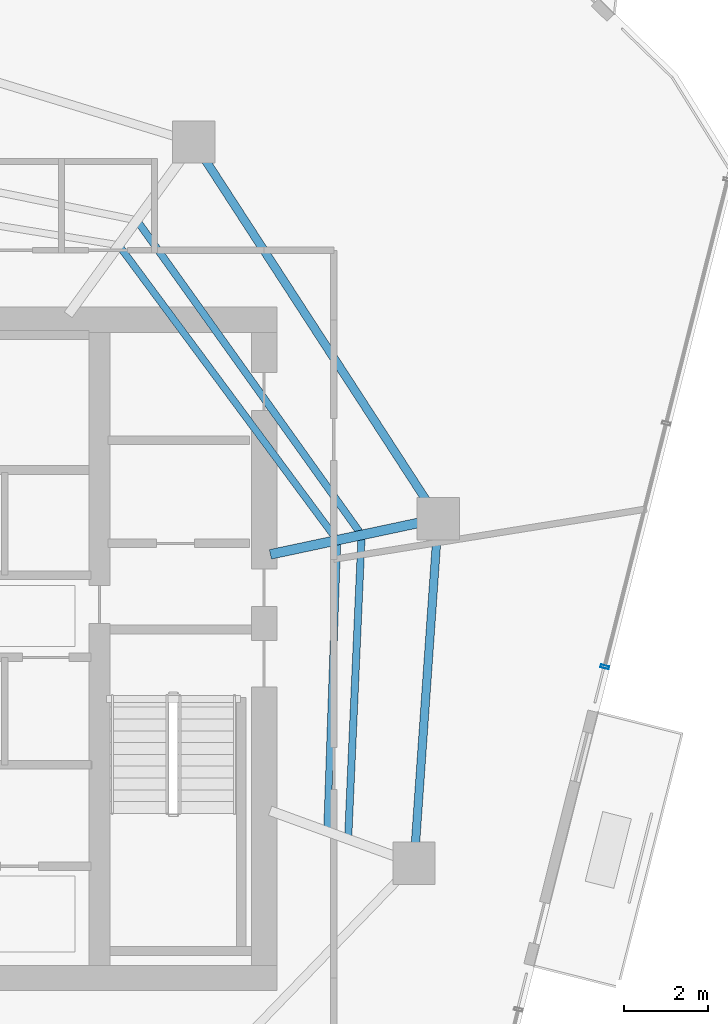
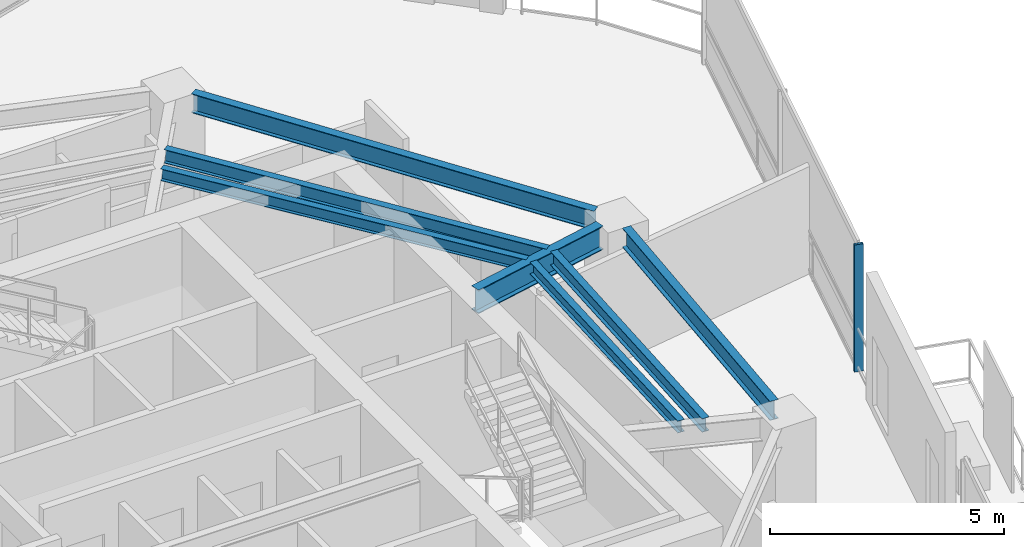
# One storey, part 7 of 19: 7 beams, 1 member, 1 element without a shape of its own.
"""IFC4 building model written with IfcOpenShell, lengths in metres."""

from ifc_helpers import new_model, si_unit, direction, frame, origin, origin_2d, place, context, subcontext, project, spatial, hollow_rectangle, i_section, extrude, material, layer, layer_set, material_profile, profile_set, type_object, element, aggregate, save


model = new_model("IFC4")

# Units and contexts
model_context = context("Model", 3, precision=1e-05, world=origin(), true_north=direction((0.0, 1.0)))
body_context = subcontext(model_context, "Body", "Model", "MODEL_VIEW")
ifc_project = project(units=[si_unit("LENGTHUNIT", "METRE"), si_unit("AREAUNIT", "SQUARE_METRE"), si_unit("VOLUMEUNIT", "CUBIC_METRE"), si_unit("PLANEANGLEUNIT", "RADIAN"), si_unit("MASSUNIT", "GRAM", prefix="KILO")], contexts=[model_context])

# Site, building, storey
site_placement = place(None, origin())
site = spatial("IfcSite", under=ifc_project, at=site_placement, CompositionType="ELEMENT")
building_placement = place(site_placement, origin())
building = spatial("IfcBuilding", under=site, at=building_placement, Name="Qarnah Convention Tower", CompositionType="ELEMENT")
storey_placement = place(building_placement, frame((0.0, 0.0, 125.699951171875)))
storey = spatial("IfcBuildingStorey", under=building, at=storey_placement, Name="L33", CompositionType="ELEMENT", Elevation=125.699951171875)

# Beams
ifc_material_1 = material(Name="Structural steel S355JR", Category="steel")
ifc_material_profile_1 = material_profile(ifc_material_1, i_section(OverallWidth=0.166015625, OverallDepth=0.31201171875, WebThickness=0.007080078125, FlangeThickness=0.010986328125, at=origin_2d()), Name="W310X45")
ifc_profile_set_1 = profile_set([ifc_material_profile_1], Name="Structural steel S355JR")
beam_type_1 = type_object("IfcBeamType", Name="BM-JST-W310", PredefinedType="JOIST", material=ifc_profile_set_1)
beam_1_placement = place(storey_placement, frame((49.278076171875, 29.050048828125, 3.1640625), z_axis=(-0.595115858154, 0.803639916488, 0.0), x_axis=(-0.803639916488, -0.595115858154, 0.0)))
element("IfcBeam", 1, at=beam_1_placement, inside=storey, type_object=beam_type_1, Name="L33 joist BM-L33-IJST-01", PredefinedType="JOIST", context=body_context, shape_type="SweptSolid", body=[
    extrude(i_section(OverallWidth=0.166015625, OverallDepth=0.31201171875, WebThickness=0.007080078125, FlangeThickness=0.010986328125, at=origin_2d()), origin(), (0.0, 0.0, 1.0), 8.52099609375),
])
beam_2_placement = place(storey_placement, frame((49.095947265625, 22.162109375, 3.1640625), z_axis=(0.034644695133, 0.999399692365, 0.0), x_axis=(-0.999399692365, 0.034644695133, 0.0)))
element("IfcBeam", 2, at=beam_2_placement, inside=storey, type_object=beam_type_1, Name="L33 joist BM-L33-IJST-09", PredefinedType="JOIST", context=body_context, shape_type="SweptSolid", body=[
    extrude(i_section(OverallWidth=0.166015625, OverallDepth=0.31201171875, WebThickness=0.007080078125, FlangeThickness=0.010986328125, at=origin_2d()), origin(), (0.0, 0.0, 1.0), 6.72998046875),
])
ifc_material_profile_2 = material_profile(ifc_material_1, i_section(OverallWidth=0.172119140625, OverallDepth=0.35595703125, WebThickness=0.007080078125, FlangeThickness=0.011962890625, at=origin_2d()), Name="W360X51")
ifc_profile_set_2 = profile_set([ifc_material_profile_2], Name="Structural steel S355JR")
beam_type_2 = type_object("IfcBeamType", Name="BM-JST-W360", PredefinedType="JOIST", material=ifc_profile_set_2)
beam_3_placement = place(storey_placement, frame((49.85791015625, 29.174072265625, 3.14208984375), z_axis=(-0.581261320914, 0.813716951286, 0.0), x_axis=(-0.813716951286, -0.581261320914, 0.0)))
element("IfcBeam", 3, at=beam_3_placement, inside=storey, type_object=beam_type_2, Name="L33 joist BM-L33-SJST-01", PredefinedType="JOIST", context=body_context, shape_type="SweptSolid", body=[
    extrude(i_section(OverallWidth=0.172119140625, OverallDepth=0.35595703125, WebThickness=0.007080078125, FlangeThickness=0.011962890625, at=origin_2d()), origin(), (0.0, 0.0, 1.0), 8.987060546875),
])
beam_4_placement = place(storey_placement, frame((49.593994140625, 21.97998046875, 3.14208984375), z_axis=(0.044332910423, 0.999016813199, 0.0), x_axis=(-0.999016813199, 0.044332910423, 0.0)))
element("IfcBeam", 4, at=beam_4_placement, inside=storey, type_object=beam_type_2, Name="L33 joist BM-L33-SJST-09", PredefinedType="JOIST", context=body_context, shape_type="SweptSolid", body=[
    extrude(i_section(OverallWidth=0.172119140625, OverallDepth=0.35595703125, WebThickness=0.007080078125, FlangeThickness=0.011962890625, at=origin_2d()), origin(), (0.0, 0.0, 1.0), 7.037841796875),
])
ifc_material_profile_3 = material_profile(ifc_material_1, i_section(OverallWidth=0.22998046875, OverallDepth=0.617919921875, WebThickness=0.012939453125, FlangeThickness=0.02197265625, at=origin_2d()), Name="W610X140")
ifc_profile_set_3 = profile_set([ifc_material_profile_3], Name="Structural steel S355JR")
beam_type_3 = type_object("IfcBeamType", Name="BM-RAD-W610A", PredefinedType="BEAM", material=ifc_profile_set_3)
beam_5_placement = place(storey_placement, frame((47.7470703125, 28.64111328125, 3.010986328125), z_axis=(0.978133929389, 0.207975999045, 0.0), x_axis=(-0.207975999045, 0.978133929389, 0.0)))
element("IfcBeam", 5, at=beam_5_placement, inside=storey, type_object=beam_type_3, Name="L33 beam BM-L33-RAD-01", PredefinedType="BEAM", context=body_context, shape_type="SweptSolid", body=[
    extrude(i_section(OverallWidth=0.22998046875, OverallDepth=0.617919921875, WebThickness=0.012939453125, FlangeThickness=0.02197265625, at=origin_2d()), origin(), (0.0, 0.0, 1.0), 3.586181640625),
])
ifc_material_profile_4 = material_profile(ifc_material_1, i_section(OverallWidth=0.199951171875, OverallDepth=0.5, WebThickness=0.010009765625, FlangeThickness=0.01611328125, at=origin_2d()), Name="IPE500")
ifc_profile_set_4 = profile_set([ifc_material_profile_4], Name="Structural steel S355JR")
beam_type_4 = type_object("IfcBeamType", Name="BM-SPN-IPE500", PredefinedType="SPANDREL", material=ifc_profile_set_4)
beam_6_placement = place(storey_placement, frame((51.4580078125, 29.89794921875, 3.070068359375), z_axis=(-0.544531816504, 0.838740186717, 0.0), x_axis=(-0.838740186717, -0.544531816504, 0.0)))
element("IfcBeam", 6, at=beam_6_placement, inside=storey, type_object=beam_type_4, Name="L33 spandrel BM-L33-SPN-01", PredefinedType="SPANDREL", context=body_context, shape_type="SweptSolid", body=[
    extrude(i_section(OverallWidth=0.199951171875, OverallDepth=0.5, WebThickness=0.010009765625, FlangeThickness=0.01611328125, at=origin_2d()), origin(), (0.0, 0.0, 1.0), 9.663330078125),
])
beam_7_placement = place(storey_placement, frame((51.18798828125, 21.81005859375, 3.070068359375), z_axis=(0.069797433651, 0.997561185219, 0.0), x_axis=(-0.997561185219, 0.069797433651, 0.0)))
element("IfcBeam", 7, at=beam_7_placement, inside=storey, type_object=beam_type_4, Name="L33 spandrel BM-L33-SPN-09", PredefinedType="SPANDREL", context=body_context, shape_type="SweptSolid", body=[
    extrude(i_section(OverallWidth=0.199951171875, OverallDepth=0.5, WebThickness=0.010009765625, FlangeThickness=0.01611328125, at=origin_2d()), origin(), (0.0, 0.0, 1.0), 7.20556640625),
])

# Curtain wall, member
ifc_material_2 = material(Name="Tempered Low-E dark glass", Category="glass")
ifc_layer = layer(ifc_material_2, 0.172119140625)
ifc_layer_set = layer_set([ifc_layer], Name="Tempered Low-E dark glass")
curtain_wall_type = type_object("IfcCurtainWallType", Name="CWS-03", PredefinedType="NOTDEFINED", material=ifc_layer_set)
curtain_wall_placement = place(storey_placement, origin())
curtain_wall = element("IfcCurtainWall", 8, at=curtain_wall_placement, inside=storey, type_object=curtain_wall_type, Name="L33 unitised curtain wall CW-L33-F2", PredefinedType="NOTDEFINED")
ifc_material_3 = material(Name="Black anodised aluminium", Category="aluminium")
ifc_material_profile_5 = material_profile(ifc_material_3, hollow_rectangle(XDim=0.070068359375, YDim=0.199951171875, WallThickness=0.0048828125, at=origin_2d()), Name="MUL-70X200")
ifc_profile_set_5 = profile_set([ifc_material_profile_5], Name="Black anodised aluminium")
member_type = type_object("IfcMemberType", Name="MUL-T3", PredefinedType="MULLION", material=ifc_profile_set_5)
member_placement = place(storey_placement, frame((55.675048828125, 25.97412109375, 0.0), z_axis=(0.0, 0.0, 1.0), x_axis=(-0.24460965951, -0.969621634698, 0.0)))
member = element("IfcMember", 9, at=member_placement, type_object=member_type, Name="CW-L33-F2 mullion 3", PredefinedType="MULLION", context=body_context, shape_type="SweptSolid", body=[
    extrude(hollow_rectangle(XDim=0.070068359375, YDim=0.199951171875, WallThickness=0.0048828125, at=origin_2d()), origin(), (0.0, 0.0, 1.0), 3.320068359375),
])
aggregate(curtain_wall, [member])

save(model, "model.ifc")
